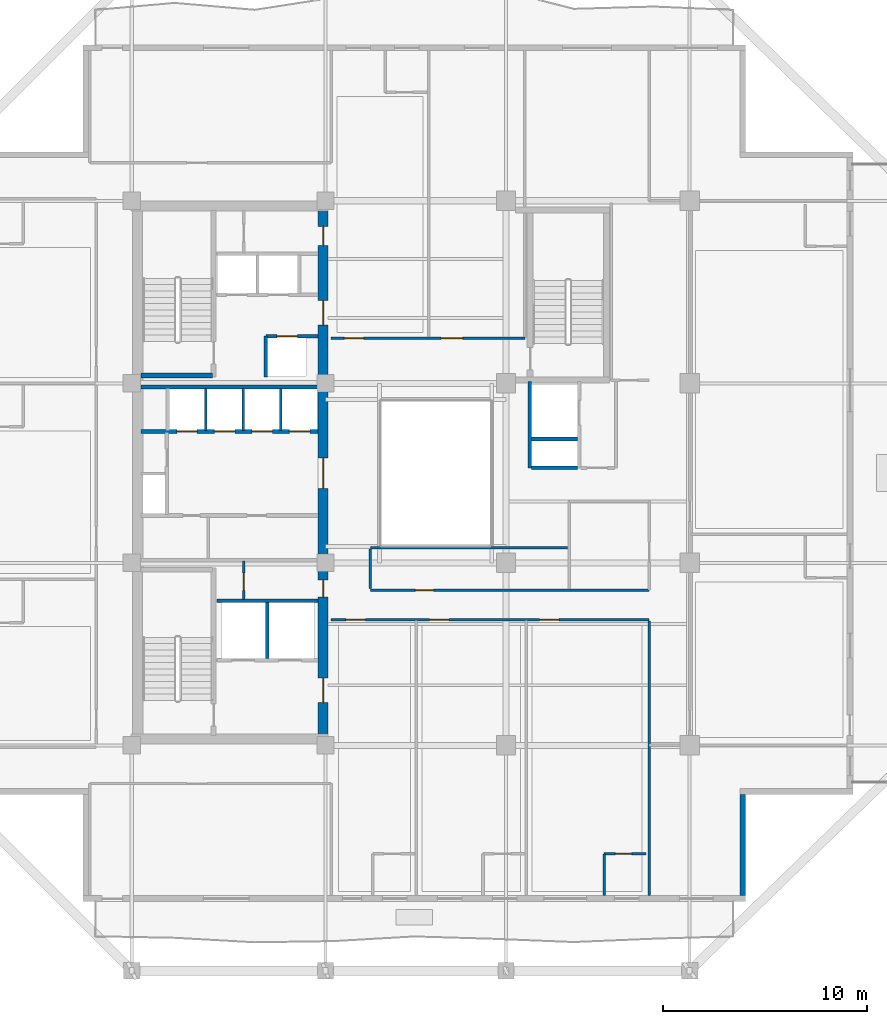
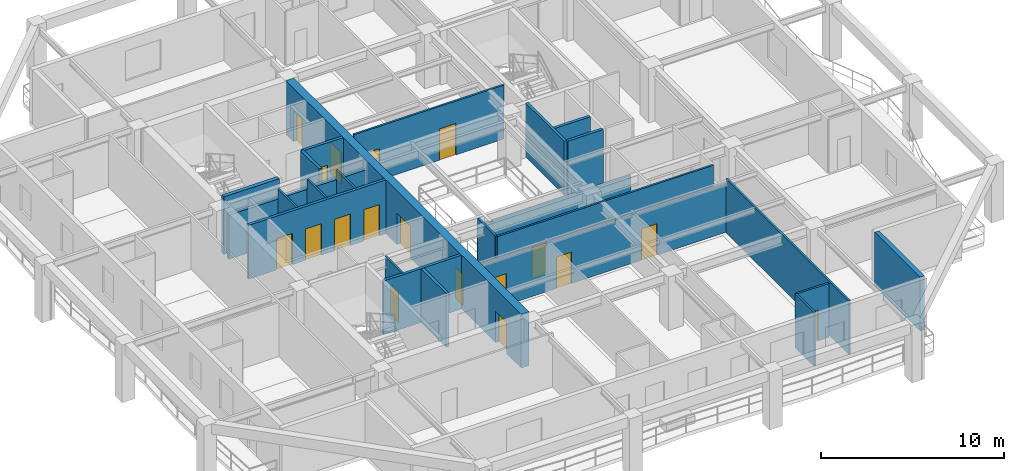
# One storey, part 4 of 13: 24 walls, 18 doors, 18 openings.
"""IFC4 building model written with IfcOpenShell, lengths in metres."""

import ifcopenshell
import ifcopenshell.guid

model = None  # the IFC model being written
_history = None  # IfcOwnerHistory: only IFC2X3 demands one
_inside = {}  # id of a spatial element -> (the spatial element, [elements in it])
_under = {}  # id of a project, library or spatial element -> (it, [spatial elements below it])
_declared = {}  # id of a project -> (the project, [libraries it declares])
_typed = {}  # id of a type object -> (the type object, [elements of that type])
_made_of = {}  # id of a material, layer set ... -> (it, [elements and type objects made of it])


def new_model(schema):
    """Start an empty IFC model of exactly this schema.

    Asked for "IFC4X3", IfcOpenShell would pick the latest addendum, in which some entities
    have other attributes; the version numbers below select the first issue.
    IFC2X3 requires an IfcOwnerHistory on every rooted entity: one is made here for all.
    """
    global model, _history
    if schema == "IFC4X3":
        model = ifcopenshell.file(schema_version=(4, 3, 0, 0))
    else:
        model = ifcopenshell.file(schema=schema)
    _inside.clear()
    _under.clear()
    _declared.clear()
    _typed.clear()
    _made_of.clear()
    _history = None
    if model.schema == "IFC2X3":
        org = make("IfcOrganization", Name="unknown")
        user = make(
            "IfcPersonAndOrganization",
            ThePerson=make("IfcPerson", FamilyName="unknown"),
            TheOrganization=org,
        )
        app = make(
            "IfcApplication",
            ApplicationDeveloper=org,
            Version="unknown",
            ApplicationFullName="unknown",
            ApplicationIdentifier="unknown",
        )
        _history = make(
            "IfcOwnerHistory",
            OwningUser=user,
            OwningApplication=app,
            ChangeAction="ADDED",
            CreationDate=0,
        )
    return model


def make(cls, **values):
    """One entity of the class cls with the attributes given. An attribute that is None is left unset."""
    return model.create_entity(
        cls, **{name: value for name, value in values.items() if value is not None}
    )


def rooted(cls, **values):
    """An entity with a GlobalId (a new one), such as an element, a storey or a relation."""
    return make(cls, GlobalId=ifcopenshell.guid.new(), OwnerHistory=_history, **values)


def si_unit(unit_type, name, prefix=None):
    """IfcSIUnit, for example si_unit("LENGTHUNIT", "METRE", prefix="MILLI")."""
    return make("IfcSIUnit", UnitType=unit_type, Prefix=prefix, Name=name)


def assignment(units):
    """IfcUnitAssignment: the units of a project."""
    return None if units is None else make("IfcUnitAssignment", Units=units)


def point(xyz):
    """IfcCartesianPoint."""
    return None if xyz is None else make("IfcCartesianPoint", Coordinates=xyz)


def direction(xyz):
    """IfcDirection."""
    return None if xyz is None else make("IfcDirection", DirectionRatios=xyz)


def frame(location, z_axis=None, x_axis=None):
    """IfcAxis2Placement3D, a coordinate frame: its origin and axes. An axis left out is left unset."""
    return make(
        "IfcAxis2Placement3D",
        Location=point(location),
        Axis=direction(z_axis),
        RefDirection=direction(x_axis),
    )


def frame_2d(location, x_axis=None):
    """IfcAxis2Placement2D, a coordinate frame in the plane: its origin and x axis."""
    return make(
        "IfcAxis2Placement2D", Location=point(location), RefDirection=direction(x_axis)
    )


def origin():
    """The frame at (0, 0, 0) with its axes left unset."""
    return frame((0.0, 0.0, 0.0))


def place(relative_to, where):
    """IfcLocalPlacement: puts the frame where relative to a parent placement (None: the world)."""
    return make(
        "IfcLocalPlacement", PlacementRelTo=relative_to, RelativePlacement=where
    )


def context(
    kind, dimensions, precision=None, world=None, true_north=None, identifier=None
):
    """IfcGeometricRepresentationContext, for example the 3D "Model" context."""
    return make(
        "IfcGeometricRepresentationContext",
        ContextIdentifier=identifier,
        ContextType=kind,
        CoordinateSpaceDimension=dimensions,
        Precision=precision,
        WorldCoordinateSystem=world,
        TrueNorth=true_north,
    )


def subcontext(parent, identifier, kind, view, scale=None):
    """IfcGeometricRepresentationSubContext, for example "Body" below "Model"."""
    return make(
        "IfcGeometricRepresentationSubContext",
        ContextIdentifier=identifier,
        ContextType=kind,
        ParentContext=parent,
        TargetScale=scale,
        TargetView=view,
    )


def project(units=None, contexts=None):
    """IfcProject with its units and contexts."""
    return rooted(
        "IfcProject",
        Name="project",
        RepresentationContexts=contexts,
        UnitsInContext=assignment(units),
    )


def spatial(cls, under=None, at=None, **own):
    """A site, building, storey or space (cls), placed at a placement, below another one or the project."""
    s = rooted(cls, ObjectPlacement=at, **own)
    if under is not None:
        _under.setdefault(under.id(), (under, []))[1].append(s)
    return s


def profile(cls, at=None, kind="AREA", **sizes):
    """A parametric profile (cls). Its sizes go by their IFC names, for example OverallWidth=200.0."""
    return make(cls, ProfileType=kind, Position=at, **sizes)


def rectangle(**sizes):
    """IfcRectangleProfileDef."""
    return profile("IfcRectangleProfileDef", **sizes)


def extrude(swept, where, along, depth):
    """IfcExtrudedAreaSolid: the profile swept, set in the frame where, extruded along a direction by depth."""
    return make(
        "IfcExtrudedAreaSolid",
        SweptArea=swept,
        Position=where,
        ExtrudedDirection=direction(along),
        Depth=depth,
    )


def shape(context_of_items, identifier, shape_type, items):
    """IfcShapeRepresentation: the items that make up one representation, for example the "Body"."""
    return make(
        "IfcShapeRepresentation",
        ContextOfItems=context_of_items,
        RepresentationIdentifier=identifier,
        RepresentationType=shape_type,
        Items=items,
    )


def material(Name=None, Category=None):
    """IfcMaterial."""
    return make("IfcMaterial", Name=Name, Category=Category)


def layer(
    of_material, thickness, ventilated=None, Name=None, Category=None, Priority=None
):
    """IfcMaterialLayer: one layer of a wall or slab, of a material (None: an air gap)."""
    return make(
        "IfcMaterialLayer",
        Material=of_material,
        LayerThickness=thickness,
        IsVentilated=ventilated,
        Name=Name,
        Category=Category,
        Priority=Priority,
    )


def layer_set(layers, Name=None):
    """IfcMaterialLayerSet."""
    return make("IfcMaterialLayerSet", MaterialLayers=layers, LayerSetName=Name)


def made_of(thing, what):
    """Note that an element or type object is made of a material, layer set ...; save() writes the relation."""
    if what is not None:
        _made_of.setdefault(what.id(), (what, []))[1].append(thing)
    return thing


def type_object(cls, material=None, **own):
    """A type object (cls), such as IfcWallType, which elements share."""
    return made_of(rooted(cls, **own), material)


def element(
    cls,
    number,
    at=None,
    inside=None,
    cuts=None,
    type_object=None,
    material=None,
    context=None,
    identifier="Body",
    shape_type=None,
    held_by="IfcProductDefinitionShape",
    body=None,
    shapes=None,
    **own,
):
    """One element of the class cls, such as IfcWall. Its Tag is "e" and its number.

    at: its placement. inside: the storey or other place that contains it. cuts: it is an
    opening in that element (IfcRelVoidsElement). A single representation is given by context,
    identifier, shape_type and body (its items); several are given by shapes. held_by: the class
    of the entity that holds the representations. save() writes the other relations.
    """
    e = rooted(cls, Tag="e%d" % number, ObjectPlacement=at, **own)
    if body is not None:
        shapes = [shape(context, identifier, shape_type, body)]
    if shapes is not None:
        e.Representation = make(held_by, Representations=shapes)
    if inside is not None:
        _inside.setdefault(inside.id(), (inside, []))[1].append(e)
    if cuts is not None:
        rooted(
            "IfcRelVoidsElement", RelatingBuildingElement=cuts, RelatedOpeningElement=e
        )
    if type_object is not None:
        _typed.setdefault(type_object.id(), (type_object, []))[1].append(e)
    return made_of(e, material)


def fill(opening, filler):
    """IfcRelFillsElement: the door or window that sits in an opening."""
    return rooted(
        "IfcRelFillsElement",
        RelatingOpeningElement=opening,
        RelatedBuildingElement=filler,
    )


def aggregate(whole, parts):
    """IfcRelAggregates: a whole, such as a stair, and the parts it consists of."""
    return rooted("IfcRelAggregates", RelatingObject=whole, RelatedObjects=parts)


def save(model, path):
    """Write the relations noted so far, then the file.

    IfcRelAggregates (storeys below a building ...), IfcRelContainedInSpatialStructure (elements
    in a storey), IfcRelDefinesByType, IfcRelAssociatesMaterial and IfcRelDeclares: one each for
    every whole, place, type object, material and project.
    """
    for whole, parts in _under.values():
        aggregate(whole, parts)
    for where, things in _inside.values():
        rooted(
            "IfcRelContainedInSpatialStructure",
            RelatedElements=things,
            RelatingStructure=where,
        )
    for kind, things in _typed.values():
        rooted("IfcRelDefinesByType", RelatedObjects=things, RelatingType=kind)
    for what, things in _made_of.values():
        rooted("IfcRelAssociatesMaterial", RelatedObjects=things, RelatingMaterial=what)
    for by, libraries in _declared.values():
        rooted("IfcRelDeclares", RelatingContext=by, RelatedDefinitions=libraries)
    model.write(path)


model = new_model("IFC4")

# Units and contexts
model_context = context("Model", 3, precision=1e-05, world=origin(), true_north=direction((0.0, 1.0)))
body_context = subcontext(model_context, "Body", "Model", "MODEL_VIEW")
ifc_project = project(units=[si_unit("LENGTHUNIT", "METRE"), si_unit("AREAUNIT", "SQUARE_METRE"), si_unit("VOLUMEUNIT", "CUBIC_METRE"), si_unit("PLANEANGLEUNIT", "RADIAN"), si_unit("MASSUNIT", "GRAM", prefix="KILO")], contexts=[model_context])

# Site, building, storey
site_placement = place(None, origin())
site = spatial("IfcSite", under=ifc_project, at=site_placement, CompositionType="ELEMENT")
building_placement = place(site_placement, origin())
building = spatial("IfcBuilding", under=site, at=building_placement, Name="Kundavana Baori Tower", CompositionType="ELEMENT")
storey_placement = place(building_placement, frame((0.0, 0.0, 181.0)))
storey = spatial("IfcBuildingStorey", under=building, at=storey_placement, Name="L44", CompositionType="ELEMENT", Elevation=181.0)

# Wall
ifc_material_1 = material(Name="Concrete C50/60", Category="concrete")
ifc_layer_1 = layer(ifc_material_1, 0.39990234375, Name="WL-CORE-400")
ifc_layer_set_1 = layer_set([ifc_layer_1], Name="Concrete C50/60")
wall_type_1 = type_object("IfcWallType", Name="WL-CORE-400", PredefinedType="SHEAR", material=ifc_layer_set_1)
wall_1_placement = place(storey_placement, frame((15.89990234375, 33.389892578125, 0.0), z_axis=(0.0, 0.0, 1.0), x_axis=(1.0, 0.0, 0.0)))
element("IfcWall", 1, at=wall_1_placement, inside=storey, type_object=wall_type_1, Name="WL-L44-ST2-S", PredefinedType="SHEAR", context=body_context, shape_type="SweptSolid", body=[
    extrude(rectangle(XDim=3.52001953125, YDim=0.239990234375, at=frame_2d((1.760009765625, 0.0))), origin(), (0.0, 0.0, 1.0), 3.85009765625),
])

# Wall, openings, doors
ifc_material_2 = material(Name="Concrete C50/60", Category="concrete")
ifc_layer_2 = layer(ifc_material_2, 0.5, Name="WL-CORE-500")
ifc_layer_set_2 = layer_set([ifc_layer_2], Name="Concrete C50/60")
wall_type_2 = type_object("IfcWallType", Name="WL-CORE-500", PredefinedType="SHEAR", material=ifc_layer_set_2)
wall_2_placement = place(storey_placement, frame((24.830078125, 15.739990234375, 0.0), z_axis=(0.0, 0.0, 1.0), x_axis=(0.0, 1.0, 0.0)))
wall_2 = element("IfcWall", 2, at=wall_2_placement, inside=storey, type_object=wall_type_2, Name="L44 Offset Core East Shear Wall", PredefinedType="SHEAR", context=body_context, shape_type="SweptSolid", body=[
    extrude(rectangle(XDim=25.760009765625, YDim=0.5, at=frame_2d((12.8798828125, 0.0))), origin(), (0.0, 0.0, 1.0), 3.60009765625),
])
opening_1_placement = place(wall_2_placement, frame((1.610107421875, 0.0, 0.0)))
opening_1 = element("IfcOpeningElement", 3, at=opening_1_placement, cuts=wall_2, Name="Opening FD-120", PredefinedType="OPENING", context=body_context, shape_type="SweptSolid", body=[
    extrude(rectangle(XDim=1.199951171875, YDim=2.10009765625, at=frame_2d((0.60009765625, 1.050048828125))), frame((0.0, 0.260009765625, 0.0), z_axis=(0.0, -1.0, 0.0), x_axis=(1.0, 0.0, 0.0)), (0.0, 0.0, 1.0), 0.52001953125),
])
opening_2_placement = place(wall_2_placement, frame((6.780029296875, 0.0, 0.0)))
opening_2 = element("IfcOpeningElement", 4, at=opening_2_placement, cuts=wall_2, Name="Opening FD-085", PredefinedType="OPENING", context=body_context, shape_type="SweptSolid", body=[
    extrude(rectangle(XDim=0.85009765625, YDim=2.06005859375, at=frame_2d((0.425048828125, 1.030029296875))), frame((0.0, 0.260009765625, 0.0), z_axis=(0.0, -1.0, 0.0), x_axis=(1.0, 0.0, 0.0)), (0.0, 0.0, 1.0), 0.52001953125),
])
opening_3_placement = place(wall_2_placement, frame((12.110107421875, 0.0, 0.0)))
opening_3 = element("IfcOpeningElement", 5, at=opening_3_placement, cuts=wall_2, Name="Opening FD-150", PredefinedType="OPENING", context=body_context, shape_type="SweptSolid", body=[
    extrude(rectangle(XDim=1.5, YDim=2.1201171875, at=frame_2d((0.75, 1.06005859375))), frame((0.0, 0.260009765625, 0.0), z_axis=(0.0, -1.0, 0.0), x_axis=(1.0, 0.0, 0.0)), (0.0, 0.0, 1.0), 0.52001953125),
])
opening_4_placement = place(wall_2_placement, frame((20.110107421875, 0.0, 0.0)))
opening_4 = element("IfcOpeningElement", 6, at=opening_4_placement, cuts=wall_2, Name="Opening FD-122", PredefinedType="OPENING", context=body_context, shape_type="SweptSolid", body=[
    extrude(rectangle(XDim=1.199951171875, YDim=2.1201171875, at=frame_2d((0.60009765625, 1.06005859375))), frame((0.0, 0.260009765625, 0.0), z_axis=(0.0, -1.0, 0.0), x_axis=(1.0, 0.0, 0.0)), (0.0, 0.0, 1.0), 0.52001953125),
])
opening_5_placement = place(wall_2_placement, frame((24.010009765625, 0.0, 0.0)))
opening_5 = element("IfcOpeningElement", 7, at=opening_5_placement, cuts=wall_2, Name="Opening FD-095", PredefinedType="OPENING", context=body_context, shape_type="SweptSolid", body=[
    extrude(rectangle(XDim=0.949951171875, YDim=2.10009765625, at=frame_2d((0.47509765625, 1.050048828125))), frame((0.0, 0.260009765625, 0.0), z_axis=(0.0, -1.0, 0.0), x_axis=(1.0, 0.0, 0.0)), (0.0, 0.0, 1.0), 0.52001953125),
])
ifc_material_3 = material(Name="Galvanised Steel Fire-Rated Door Leaf", Category="steel")
door_type_1 = type_object("IfcDoorType", Name="DR-FD120-1200", OperationType="NOTDEFINED", PredefinedType="DOOR", material=ifc_material_3)
door_1_placement = place(opening_1_placement, frame((1.199951171875, 0.0, 0.0), z_axis=(0.0, 0.0, 1.0), x_axis=(-1.0, 0.0, 0.0)))
door_1 = element("IfcDoor", 8, at=door_1_placement, inside=storey, type_object=door_type_1, Name="DR-L44-FFLOB-E", OperationType="SINGLE_SWING_RIGHT", OverallHeight=2.10009765625, OverallWidth=1.199951171875, PredefinedType="DOOR", context=body_context, shape_type="SweptSolid", body=[
    extrude(rectangle(XDim=1.199951171875, YDim=2.10009765625, at=frame_2d((0.60009765625, 1.050048828125))), frame((0.0, 0.02490234375, 0.0), z_axis=(0.0, -1.0, 0.0), x_axis=(1.0, 0.0, 0.0)), (0.0, 0.0, 1.0), 0.050048828125),
])
fill(opening_1, door_1)
ifc_material_4 = material(Name="Galvanised Steel Fire-Rated Door Leaf", Category="steel")
door_type_2 = type_object("IfcDoorType", Name="DR-FD60-1200", OperationType="NOTDEFINED", PredefinedType="DOOR", material=ifc_material_4)
door_2_placement = place(opening_4_placement, frame((1.199951171875, 0.0, 0.0), z_axis=(0.0, 0.0, 1.0), x_axis=(-1.0, 0.0, 0.0)))
door_2 = element("IfcDoor", 9, at=door_2_placement, inside=storey, type_object=door_type_2, Name="DR-L44-HRLOB-E", OperationType="SINGLE_SWING_RIGHT", OverallHeight=2.1201171875, OverallWidth=1.199951171875, PredefinedType="DOOR", context=body_context, shape_type="SweptSolid", body=[
    extrude(rectangle(XDim=1.199951171875, YDim=2.1201171875, at=frame_2d((0.60009765625, 1.06005859375))), frame((0.0, 0.02490234375, 0.0), z_axis=(0.0, -1.0, 0.0), x_axis=(1.0, 0.0, 0.0)), (0.0, 0.0, 1.0), 0.050048828125),
])
fill(opening_4, door_2)
ifc_material_5 = material(Name="Galvanised Steel Fire-Rated Door Leaf", Category="steel")
door_type_3 = type_object("IfcDoorType", Name="DR-FD60-1500", OperationType="NOTDEFINED", PredefinedType="DOOR", material=ifc_material_5)
door_3_placement = place(opening_3_placement, frame((1.5, 0.0, 0.0), z_axis=(0.0, 0.0, 1.0), x_axis=(-1.0, 0.0, 0.0)))
door_3 = element("IfcDoor", 10, at=door_3_placement, inside=storey, type_object=door_type_3, Name="DR-L44-LIFTHALL-E", OperationType="SINGLE_SWING_LEFT", OverallHeight=2.1201171875, OverallWidth=1.5, PredefinedType="DOOR", context=body_context, shape_type="SweptSolid", body=[
    extrude(rectangle(XDim=1.5, YDim=2.1201171875, at=frame_2d((0.75, 1.06005859375))), frame((0.0, 0.02490234375, 0.0), z_axis=(0.0, -1.0, 0.0), x_axis=(1.0, 0.0, 0.0)), (0.0, 0.0, 1.0), 0.050048828125),
])
fill(opening_3, door_3)
ifc_material_6 = material(Name="Galvanised Steel Fire-Rated Door Leaf", Category="steel")
door_type_4 = type_object("IfcDoorType", Name="DR-FD60-850", OperationType="NOTDEFINED", PredefinedType="DOOR", material=ifc_material_6)
door_4_placement = place(opening_2_placement, frame((0.85009765625, 0.0, 0.0), z_axis=(0.0, 0.0, 1.0), x_axis=(-1.0, 0.0, 0.0)))
door_4 = element("IfcDoor", 11, at=door_4_placement, inside=storey, type_object=door_type_4, Name="DR-L44-CSMK2", OperationType="SINGLE_SWING_LEFT", OverallHeight=2.06005859375, OverallWidth=0.85009765625, PredefinedType="DOOR", context=body_context, shape_type="SweptSolid", body=[
    extrude(rectangle(XDim=0.85009765625, YDim=2.06005859375, at=frame_2d((0.425048828125, 1.030029296875))), frame((0.0, 0.02490234375, 0.0), z_axis=(0.0, -1.0, 0.0), x_axis=(1.0, 0.0, 0.0)), (0.0, 0.0, 1.0), 0.050048828125),
])
fill(opening_2, door_4)
ifc_material_7 = material(Name="Engineered Teak Fire-Rated Timber Door Leaf", Category="wood")
door_type_5 = type_object("IfcDoorType", Name="DR-FD60-950", OperationType="NOTDEFINED", PredefinedType="DOOR", material=ifc_material_7)
door_5_placement = place(opening_5_placement, frame((0.949951171875, 0.0, 0.0), z_axis=(0.0, 0.0, 1.0), x_axis=(-1.0, 0.0, 0.0)))
door_5 = element("IfcDoor", 12, at=door_5_placement, inside=storey, type_object=door_type_5, Name="DR-L44-CSRV2", OperationType="SINGLE_SWING_LEFT", OverallHeight=2.10009765625, OverallWidth=0.949951171875, PredefinedType="DOOR", context=body_context, shape_type="SweptSolid", body=[
    extrude(rectangle(XDim=0.949951171875, YDim=2.10009765625, at=frame_2d((0.47509765625, 1.050048828125))), frame((0.0, 0.02490234375, 0.0), z_axis=(0.0, -1.0, 0.0), x_axis=(1.0, 0.0, 0.0)), (0.0, 0.0, 1.0), 0.050048828125),
])
fill(opening_5, door_5)

# Wall
ifc_material_8 = material(Name="Red-Buff Dholpur Sandstone Cladding on Concrete C40/50", Category="masonry")
ifc_layer_3 = layer(ifc_material_8, 0.280029296875, Name="WL-EXT-SAND-280")
ifc_layer_set_3 = layer_set([ifc_layer_3], Name="Red-Buff Dholpur Sandstone Cladding on Concrete C40/50")
wall_type_3 = type_object("IfcWallType", Name="WL-EXT-SAND-280", PredefinedType="STANDARD", material=ifc_layer_set_3)
wall_3_placement = place(storey_placement, frame((45.409912109375, 7.8798828125, 0.0), z_axis=(0.0, 0.0, 1.0), x_axis=(0.0, 1.0, 0.0)))
element("IfcWall", 13, at=wall_3_placement, inside=storey, type_object=wall_type_3, Name="L44 Exterior Insulated Facade Wall 02", PredefinedType="STANDARD", context=body_context, shape_type="SweptSolid", body=[
    extrude(rectangle(XDim=4.97021484375, YDim=0.280029296875, at=frame_2d((2.485107421875, 0.0))), origin(), (0.0, 0.0, 1.0), 3.60009765625),
])

# Wall, opening, door
ifc_material_9 = material(Name="Acoustic Gypsum Plasterboard on Galvanised Steel Studs", Category="steel")
ifc_layer_4 = layer(ifc_material_9, 0.1201171875, Name="WL-PART-120")
ifc_layer_set_4 = layer_set([ifc_layer_4], Name="Acoustic Gypsum Plasterboard on Galvanised Steel Studs")
wall_type_4 = type_object("IfcWallType", Name="WL-PART-120", PredefinedType="PARTITIONING", material=ifc_layer_set_4)
wall_4_placement = place(storey_placement, frame((20.949951171875, 22.39990234375, 0.0), z_axis=(0.0, 0.0, 1.0), x_axis=(0.0, 1.0, 0.0)))
wall_4 = element("IfcWall", 14, at=wall_4_placement, inside=storey, type_object=wall_type_4, Name="WL-L44-CSMK-D2", PredefinedType="PARTITIONING", context=body_context, shape_type="SweptSolid", body=[
    extrude(rectangle(XDim=1.880126953125, YDim=0.1201171875, at=frame_2d((0.93994140625, 0.0))), origin(), (0.0, 0.0, 1.0), 3.60009765625),
])
opening_6_placement = place(wall_4_placement, frame((0.449951171875, 0.0, 0.0)))
opening_6 = element("IfcOpeningElement", 15, at=opening_6_placement, cuts=wall_4, Name="Opening FD-085", PredefinedType="OPENING", context=body_context, shape_type="SweptSolid", body=[
    extrude(rectangle(XDim=0.85009765625, YDim=2.06005859375, at=frame_2d((0.425048828125, 1.030029296875))), frame((0.0, 0.070068359375, 0.0), z_axis=(0.0, -1.0, 0.0), x_axis=(1.0, 0.0, 0.0)), (0.0, 0.0, 1.0), 0.14013671875),
])
door_6_placement = place(opening_6_placement, origin())
door_6 = element("IfcDoor", 16, at=door_6_placement, inside=storey, type_object=door_type_4, Name="DR-L44-CSMK1", OperationType="SINGLE_SWING_RIGHT", OverallHeight=2.06005859375, OverallWidth=0.85009765625, PredefinedType="DOOR", context=body_context, shape_type="SweptSolid", body=[
    extrude(rectangle(XDim=0.85009765625, YDim=2.06005859375, at=frame_2d((0.425048828125, 1.030029296875))), frame((0.0, 0.02490234375, 0.0), z_axis=(0.0, -1.0, 0.0), x_axis=(1.0, 0.0, 0.0)), (0.0, 0.0, 1.0), 0.050048828125),
])
fill(opening_6, door_6)

# Walls
for number, where, z_axis, x_axis, name in (
    (17, (19.080078125, 30.699951171875, 0.0), (0.0, 0.0, 1.0), (0.0, 1.0, 0.0), "WL-L44-LPMID-D1"),
    (18, (20.919921875, 30.699951171875, 0.0), (0.0, 0.0, 1.0), (0.0, 1.0, 0.0), "WL-L44-LPMID-D2"),
    (19, (22.760009765625, 30.699951171875, 0.0), (0.0, 0.0, 1.0), (0.0, 1.0, 0.0), "WL-L44-LPMID-D3"),
):
    element("IfcWall", number, at=place(storey_placement, frame(where, z_axis=z_axis, x_axis=x_axis)), inside=storey, type_object=wall_type_4, Name=name, PredefinedType="PARTITIONING", context=body_context, shape_type="SweptSolid", body=[
        extrude(rectangle(XDim=2.050048828125, YDim=0.1201171875, at=frame_2d((1.02490234375, 0.0))), origin(), (0.0, 0.0, 1.0), 3.60009765625),
    ])

# Wall, openings, doors
wall_5_placement = place(storey_placement, frame((25.219970703125, 21.419921875, 0.0), z_axis=(0.0, 0.0, 1.0), x_axis=(1.0, 0.0, 0.0)))
wall_5 = element("IfcWall", 20, at=wall_5_placement, inside=storey, type_object=wall_type_4, Name="WL-L44-HS", PredefinedType="PARTITIONING", context=body_context, shape_type="SweptSolid", body=[
    extrude(rectangle(XDim=15.60009765625, YDim=0.1201171875, at=frame_2d((7.800048828125, 0.0))), origin(), (0.0, 0.0, 1.0), 3.25),
])
opening_7_placement = place(wall_5_placement, frame((0.72998046875, 0.0, 0.0)))
opening_7 = element("IfcOpeningElement", 21, at=opening_7_placement, cuts=wall_5, Name="Opening FD-095", PredefinedType="OPENING", context=body_context, shape_type="SweptSolid", body=[
    extrude(rectangle(XDim=0.949951171875, YDim=2.10009765625, at=frame_2d((0.47509765625, 1.050048828125))), frame((0.0, 0.070068359375, 0.0), z_axis=(0.0, -1.0, 0.0), x_axis=(1.0, 0.0, 0.0)), (0.0, 0.0, 1.0), 0.14013671875),
])
opening_8_placement = place(wall_5_placement, frame((4.830078125, 0.0, 0.0)))
opening_8 = element("IfcOpeningElement", 22, at=opening_8_placement, cuts=wall_5, Name="Opening FD-095", PredefinedType="OPENING", context=body_context, shape_type="SweptSolid", body=[
    extrude(rectangle(XDim=0.949951171875, YDim=2.10009765625, at=frame_2d((0.47509765625, 1.050048828125))), frame((0.0, 0.070068359375, 0.0), z_axis=(0.0, -1.0, 0.0), x_axis=(1.0, 0.0, 0.0)), (0.0, 0.0, 1.0), 0.14013671875),
])
opening_9_placement = place(wall_5_placement, frame((10.22998046875, 0.0, 0.0)))
opening_9 = element("IfcOpeningElement", 23, at=opening_9_placement, cuts=wall_5, Name="Opening FD-095", PredefinedType="OPENING", context=body_context, shape_type="SweptSolid", body=[
    extrude(rectangle(XDim=0.949951171875, YDim=2.10009765625, at=frame_2d((0.47509765625, 1.050048828125))), frame((0.0, 0.070068359375, 0.0), z_axis=(0.0, -1.0, 0.0), x_axis=(1.0, 0.0, 0.0)), (0.0, 0.0, 1.0), 0.14013671875),
])
door_7_placement = place(opening_7_placement, frame((0.949951171875, 0.0, 0.0), z_axis=(0.0, 0.0, 1.0), x_axis=(-1.0, 0.0, 0.0)))
door_7 = element("IfcDoor", 24, at=door_7_placement, inside=storey, type_object=door_type_5, Name="DR-L44-HK-S1-ENT", OperationType="SINGLE_SWING_RIGHT", OverallHeight=2.10009765625, OverallWidth=0.949951171875, PredefinedType="DOOR", context=body_context, shape_type="SweptSolid", body=[
    extrude(rectangle(XDim=0.949951171875, YDim=2.10009765625, at=frame_2d((0.47509765625, 1.050048828125))), frame((0.0, 0.02490234375, 0.0), z_axis=(0.0, -1.0, 0.0), x_axis=(1.0, 0.0, 0.0)), (0.0, 0.0, 1.0), 0.050048828125),
])
fill(opening_7, door_7)
door_8_placement = place(opening_8_placement, frame((0.949951171875, 0.0, 0.0), z_axis=(0.0, 0.0, 1.0), x_axis=(-1.0, 0.0, 0.0)))
door_8 = element("IfcDoor", 25, at=door_8_placement, inside=storey, type_object=door_type_5, Name="DR-L44-HK-S2-ENT", OperationType="SINGLE_SWING_RIGHT", OverallHeight=2.10009765625, OverallWidth=0.949951171875, PredefinedType="DOOR", context=body_context, shape_type="SweptSolid", body=[
    extrude(rectangle(XDim=0.949951171875, YDim=2.10009765625, at=frame_2d((0.47509765625, 1.050048828125))), frame((0.0, 0.02490234375, 0.0), z_axis=(0.0, -1.0, 0.0), x_axis=(1.0, 0.0, 0.0)), (0.0, 0.0, 1.0), 0.050048828125),
])
fill(opening_8, door_8)
door_9_placement = place(opening_9_placement, frame((0.949951171875, 0.0, 0.0), z_axis=(0.0, 0.0, 1.0), x_axis=(-1.0, 0.0, 0.0)))
door_9 = element("IfcDoor", 26, at=door_9_placement, inside=storey, type_object=door_type_5, Name="DR-L44-HK-S3-ENT", OperationType="SINGLE_SWING_RIGHT", OverallHeight=2.10009765625, OverallWidth=0.949951171875, PredefinedType="DOOR", context=body_context, shape_type="SweptSolid", body=[
    extrude(rectangle(XDim=0.949951171875, YDim=2.10009765625, at=frame_2d((0.47509765625, 1.050048828125))), frame((0.0, 0.02490234375, 0.0), z_axis=(0.0, -1.0, 0.0), x_axis=(1.0, 0.0, 0.0)), (0.0, 0.0, 1.0), 0.050048828125),
])
fill(opening_9, door_9)

# Wall, opening, door
wall_6_placement = place(storey_placement, frame((27.14990234375, 22.860107421875, 0.0), z_axis=(0.0, 0.0, 1.0), x_axis=(1.0, 0.0, 0.0)))
wall_6 = element("IfcWall", 27, at=wall_6_placement, inside=storey, type_object=wall_type_4, Name="WL-L44-HST", PredefinedType="PARTITIONING", context=body_context, shape_type="SweptSolid", body=[
    extrude(rectangle(XDim=13.670166015625, YDim=0.1201171875, at=frame_2d((6.8349609375, 0.0))), origin(), (0.0, 0.0, 1.0), 3.60009765625),
])
opening_10_placement = place(wall_6_placement, frame((2.199951171875, 0.0, 0.0)))
opening_10 = element("IfcOpeningElement", 28, at=opening_10_placement, cuts=wall_6, Name="Opening ID-090", PredefinedType="OPENING", context=body_context, shape_type="SweptSolid", body=[
    extrude(rectangle(XDim=0.89990234375, YDim=2.080078125, at=frame_2d((0.449951171875, 1.0400390625))), frame((0.0, 0.070068359375, 0.0), z_axis=(0.0, -1.0, 0.0), x_axis=(1.0, 0.0, 0.0)), (0.0, 0.0, 1.0), 0.14013671875),
])
ifc_material_10 = material(Name="Engineered Teak Solid-Core Timber Veneer", Category="wood")
door_type_6 = type_object("IfcDoorType", Name="DR-INT-900", OperationType="NOTDEFINED", PredefinedType="DOOR", material=ifc_material_10)
door_10_placement = place(opening_10_placement, origin())
door_10 = element("IfcDoor", 29, at=door_10_placement, inside=storey, type_object=door_type_6, Name="DR-L44-HPNT", OperationType="SINGLE_SWING_LEFT", OverallHeight=2.080078125, OverallWidth=0.89990234375, PredefinedType="DOOR", context=body_context, shape_type="SweptSolid", body=[
    extrude(rectangle(XDim=0.89990234375, YDim=2.080078125, at=frame_2d((0.449951171875, 1.0400390625))), frame((0.0, 0.02490234375, 0.0), z_axis=(0.0, -1.0, 0.0), x_axis=(1.0, 0.0, 0.0)), (0.0, 0.0, 1.0), 0.050048828125),
])
fill(opening_10, door_10)

# Wall, openings, doors
wall_7_placement = place(storey_placement, frame((25.219970703125, 35.219970703125, 0.0), z_axis=(0.0, 0.0, 1.0), x_axis=(1.0, 0.0, 0.0)))
wall_7 = element("IfcWall", 30, at=wall_7_placement, inside=storey, type_object=wall_type_4, Name="WL-L44-HN", PredefinedType="PARTITIONING", context=body_context, shape_type="SweptSolid", body=[
    extrude(rectangle(XDim=9.5, YDim=0.1201171875, at=frame_2d((4.75, 0.0))), origin(), (0.0, 0.0, 1.0), 3.60009765625),
])
opening_11_placement = place(wall_7_placement, frame((0.64990234375, 0.0, 0.0)))
opening_11 = element("IfcOpeningElement", 31, at=opening_11_placement, cuts=wall_7, Name="Opening FD-095", PredefinedType="OPENING", context=body_context, shape_type="SweptSolid", body=[
    extrude(rectangle(XDim=0.949951171875, YDim=2.10009765625, at=frame_2d((0.47509765625, 1.050048828125))), frame((0.0, 0.070068359375, 0.0), z_axis=(0.0, -1.0, 0.0), x_axis=(1.0, 0.0, 0.0)), (0.0, 0.0, 1.0), 0.14013671875),
])
opening_12_placement = place(wall_7_placement, frame((5.39990234375, 0.0, 0.0)))
opening_12 = element("IfcOpeningElement", 32, at=opening_12_placement, cuts=wall_7, Name="Opening ID-105", PredefinedType="OPENING", context=body_context, shape_type="SweptSolid", body=[
    extrude(rectangle(XDim=1.050048828125, YDim=2.10009765625, at=frame_2d((0.52490234375, 1.050048828125))), frame((0.0, 0.070068359375, 0.0), z_axis=(0.0, -1.0, 0.0), x_axis=(1.0, 0.0, 0.0)), (0.0, 0.0, 1.0), 0.14013671875),
])
door_11_placement = place(opening_11_placement, origin())
door_11 = element("IfcDoor", 33, at=door_11_placement, inside=storey, type_object=door_type_5, Name="DR-L44-HK-N1-ENT", OperationType="SINGLE_SWING_LEFT", OverallHeight=2.10009765625, OverallWidth=0.949951171875, PredefinedType="DOOR", context=body_context, shape_type="SweptSolid", body=[
    extrude(rectangle(XDim=0.949951171875, YDim=2.10009765625, at=frame_2d((0.47509765625, 1.050048828125))), frame((0.0, 0.02490234375, 0.0), z_axis=(0.0, -1.0, 0.0), x_axis=(1.0, 0.0, 0.0)), (0.0, 0.0, 1.0), 0.050048828125),
])
fill(opening_11, door_11)
ifc_material_11 = material(Name="Engineered Teak Solid-Core Timber Veneer", Category="wood")
door_type_7 = type_object("IfcDoorType", Name="DR-INT-1050", OperationType="NOTDEFINED", PredefinedType="DOOR", material=ifc_material_11)
door_12_placement = place(opening_12_placement, origin())
door_12 = element("IfcDoor", 34, at=door_12_placement, inside=storey, type_object=door_type_7, Name="DR-L44-HLNG", OperationType="SINGLE_SWING_RIGHT", OverallHeight=2.10009765625, OverallWidth=1.050048828125, PredefinedType="DOOR", context=body_context, shape_type="SweptSolid", body=[
    extrude(rectangle(XDim=1.050048828125, YDim=2.10009765625, at=frame_2d((0.52490234375, 1.050048828125))), frame((0.0, 0.02490234375, 0.0), z_axis=(0.0, -1.0, 0.0), x_axis=(1.0, 0.0, 0.0)), (0.0, 0.0, 1.0), 0.050048828125),
])
fill(opening_12, door_12)

# Walls
wall_8_placement = place(storey_placement, frame((27.14990234375, 24.949951171875, 0.0), z_axis=(0.0, 0.0, 1.0), x_axis=(1.0, 0.0, 0.0)))
element("IfcWall", 35, at=wall_8_placement, inside=storey, type_object=wall_type_4, Name="WL-L44-HPN1", PredefinedType="PARTITIONING", context=body_context, shape_type="SweptSolid", body=[
    extrude(rectangle(XDim=9.670166015625, YDim=0.1201171875, at=frame_2d((4.8349609375, 0.0))), origin(), (0.0, 0.0, 1.0), 3.050048828125),
])
wall_9_placement = place(storey_placement, frame((27.14990234375, 22.93994140625, 0.0), z_axis=(0.0, 0.0, 1.0), x_axis=(0.0, 1.0, 0.0)))
element("IfcWall", 36, at=wall_9_placement, inside=storey, type_object=wall_type_4, Name="WL-L44-HPN2", PredefinedType="PARTITIONING", context=body_context, shape_type="SweptSolid", body=[
    extrude(rectangle(XDim=1.93994140625, YDim=0.1201171875, at=frame_2d((0.969970703125, 0.0))), origin(), (0.0, 0.0, 1.0), 3.60009765625),
])
wall_10_placement = place(storey_placement, frame((40.820068359375, 7.8798828125, 0.0), z_axis=(0.0, 0.0, 1.0), x_axis=(0.0, 1.0, 0.0)))
element("IfcWall", 37, at=wall_10_placement, inside=storey, type_object=wall_type_4, Name="WL-L44-HSEND", PredefinedType="PARTITIONING", context=body_context, shape_type="SweptSolid", body=[
    extrude(rectangle(XDim=13.460205078125, YDim=0.1201171875, at=frame_2d((6.72998046875, 0.0))), origin(), (0.0, 0.0, 1.0), 3.60009765625),
])
ifc_material_12 = material(Name="Autoclaved Aerated Concrete Blockwork Masonry", Category="masonry")
ifc_layer_5 = layer(ifc_material_12, 0.179931640625, Name="WL-SHAFT-180")
ifc_layer_set_5 = layer_set([ifc_layer_5], Name="Autoclaved Aerated Concrete Blockwork Masonry")
wall_type_5 = type_object("IfcWallType", Name="WL-SHAFT-180", PredefinedType="SOLIDWALL", material=ifc_layer_set_5)
wall_11_placement = place(storey_placement, frame((22.10009765625, 19.510009765625, 0.0), z_axis=(0.0, 0.0, 1.0), x_axis=(0.0, 1.0, 0.0)))
element("IfcWall", 38, at=wall_11_placement, inside=storey, type_object=wall_type_5, Name="WL-L44-FFL-MID", PredefinedType="SOLIDWALL", context=body_context, shape_type="SweptSolid", body=[
    extrude(rectangle(XDim=2.739990234375, YDim=0.179931640625, at=frame_2d((1.3701171875, 0.0))), origin(), (0.0, 0.0, 1.0), 3.60009765625),
])
wall_12_placement = place(storey_placement, frame((19.639892578125, 22.340087890625, 0.0), z_axis=(0.0, 0.0, 1.0), x_axis=(1.0, 0.0, 0.0)))
element("IfcWall", 39, at=wall_12_placement, inside=storey, type_object=wall_type_5, Name="WL-L44-FFL-N", PredefinedType="SOLIDWALL", context=body_context, shape_type="SweptSolid", body=[
    extrude(rectangle(XDim=4.940185546875, YDim=0.179931640625, at=frame_2d((2.47021484375, 0.0))), origin(), (0.0, 0.0, 1.0), 3.60009765625),
])

# Wall, openings, doors
wall_13_placement = place(storey_placement, frame((15.89990234375, 30.639892578125, 0.0), z_axis=(0.0, 0.0, 1.0), x_axis=(1.0, 0.0, 0.0)))
wall_13 = element("IfcWall", 40, at=wall_13_placement, inside=storey, type_object=wall_type_5, Name="WL-L44-LPMID-S", PredefinedType="SOLIDWALL", context=body_context, shape_type="SweptSolid", body=[
    extrude(rectangle(XDim=8.68017578125, YDim=0.179931640625, at=frame_2d((4.340087890625, 0.0))), origin(), (0.0, 0.0, 1.0), 3.60009765625),
])
opening_13_placement = place(wall_13_placement, frame((1.760009765625, 0.0, 0.0)))
opening_13 = element("IfcOpeningElement", 41, at=opening_13_placement, cuts=wall_13, Name="Opening LD-100", PredefinedType="OPENING", context=body_context, shape_type="SweptSolid", body=[
    extrude(rectangle(XDim=1.0, YDim=2.10009765625, at=frame_2d((0.5, 1.050048828125))), frame((0.0, 0.10009765625, 0.0), z_axis=(0.0, -1.0, 0.0), x_axis=(1.0, 0.0, 0.0)), (0.0, 0.0, 1.0), 0.199951171875),
])
opening_14_placement = place(wall_13_placement, frame((3.60009765625, 0.0, 0.0)))
opening_14 = element("IfcOpeningElement", 42, at=opening_14_placement, cuts=wall_13, Name="Opening LD-100", PredefinedType="OPENING", context=body_context, shape_type="SweptSolid", body=[
    extrude(rectangle(XDim=1.0, YDim=2.10009765625, at=frame_2d((0.5, 1.050048828125))), frame((0.0, 0.10009765625, 0.0), z_axis=(0.0, -1.0, 0.0), x_axis=(1.0, 0.0, 0.0)), (0.0, 0.0, 1.0), 0.199951171875),
])
opening_15_placement = place(wall_13_placement, frame((5.43994140625, 0.0, 0.0)))
opening_15 = element("IfcOpeningElement", 43, at=opening_15_placement, cuts=wall_13, Name="Opening LD-100", PredefinedType="OPENING", context=body_context, shape_type="SweptSolid", body=[
    extrude(rectangle(XDim=1.0, YDim=2.10009765625, at=frame_2d((0.5, 1.050048828125))), frame((0.0, 0.10009765625, 0.0), z_axis=(0.0, -1.0, 0.0), x_axis=(1.0, 0.0, 0.0)), (0.0, 0.0, 1.0), 0.199951171875),
])
opening_16_placement = place(wall_13_placement, frame((7.280029296875, 0.0, 0.0)))
opening_16 = element("IfcOpeningElement", 44, at=opening_16_placement, cuts=wall_13, Name="Opening LD-100", PredefinedType="OPENING", context=body_context, shape_type="SweptSolid", body=[
    extrude(rectangle(XDim=1.0, YDim=2.10009765625, at=frame_2d((0.5, 1.050048828125))), frame((0.0, 0.10009765625, 0.0), z_axis=(0.0, -1.0, 0.0), x_axis=(1.0, 0.0, 0.0)), (0.0, 0.0, 1.0), 0.199951171875),
])
ifc_material_13 = material(Name="Galvanised Steel Fire-Rated Door Leaf", Category="steel")
door_type_8 = type_object("IfcDoorType", Name="DR-SLIDE-LD1000", OperationType="NOTDEFINED", PredefinedType="DOOR", material=ifc_material_13)
door_13_placement = place(opening_13_placement, frame((1.0, 0.0, 0.0), z_axis=(0.0, 0.0, 1.0), x_axis=(-1.0, 0.0, 0.0)))
door_13 = element("IfcDoor", 45, at=door_13_placement, inside=storey, type_object=door_type_8, Name="DR-L44-LD-LP-05", OperationType="DOUBLE_DOOR_SLIDING", OverallHeight=2.10009765625, OverallWidth=1.0, PredefinedType="DOOR", context=body_context, shape_type="SweptSolid", body=[
    extrude(rectangle(XDim=1.0, YDim=2.10009765625, at=frame_2d((0.5, 1.050048828125))), frame((0.0, 0.02490234375, 0.0), z_axis=(0.0, -1.0, 0.0), x_axis=(1.0, 0.0, 0.0)), (0.0, 0.0, 1.0), 0.050048828125),
])
fill(opening_13, door_13)
door_14_placement = place(opening_14_placement, frame((1.0, 0.0, 0.0), z_axis=(0.0, 0.0, 1.0), x_axis=(-1.0, 0.0, 0.0)))
door_14 = element("IfcDoor", 46, at=door_14_placement, inside=storey, type_object=door_type_8, Name="DR-L44-LD-LP-06", OperationType="DOUBLE_DOOR_SLIDING", OverallHeight=2.10009765625, OverallWidth=1.0, PredefinedType="DOOR", context=body_context, shape_type="SweptSolid", body=[
    extrude(rectangle(XDim=1.0, YDim=2.10009765625, at=frame_2d((0.5, 1.050048828125))), frame((0.0, 0.02490234375, 0.0), z_axis=(0.0, -1.0, 0.0), x_axis=(1.0, 0.0, 0.0)), (0.0, 0.0, 1.0), 0.050048828125),
])
fill(opening_14, door_14)
door_15_placement = place(opening_15_placement, frame((1.0, 0.0, 0.0), z_axis=(0.0, 0.0, 1.0), x_axis=(-1.0, 0.0, 0.0)))
door_15 = element("IfcDoor", 47, at=door_15_placement, inside=storey, type_object=door_type_8, Name="DR-L44-LD-LP-07", OperationType="DOUBLE_DOOR_SLIDING", OverallHeight=2.10009765625, OverallWidth=1.0, PredefinedType="DOOR", context=body_context, shape_type="SweptSolid", body=[
    extrude(rectangle(XDim=1.0, YDim=2.10009765625, at=frame_2d((0.5, 1.050048828125))), frame((0.0, 0.02490234375, 0.0), z_axis=(0.0, -1.0, 0.0), x_axis=(1.0, 0.0, 0.0)), (0.0, 0.0, 1.0), 0.050048828125),
])
fill(opening_15, door_15)
door_16_placement = place(opening_16_placement, frame((1.0, 0.0, 0.0), z_axis=(0.0, 0.0, 1.0), x_axis=(-1.0, 0.0, 0.0)))
door_16 = element("IfcDoor", 48, at=door_16_placement, inside=storey, type_object=door_type_8, Name="DR-L44-LD-LP-08", OperationType="DOUBLE_DOOR_SLIDING", OverallHeight=2.10009765625, OverallWidth=1.0, PredefinedType="DOOR", context=body_context, shape_type="SweptSolid", body=[
    extrude(rectangle(XDim=1.0, YDim=2.10009765625, at=frame_2d((0.5, 1.050048828125))), frame((0.0, 0.02490234375, 0.0), z_axis=(0.0, -1.0, 0.0), x_axis=(1.0, 0.0, 0.0)), (0.0, 0.0, 1.0), 0.050048828125),
])
fill(opening_16, door_16)

# Wall
wall_14_placement = place(storey_placement, frame((15.89990234375, 32.820068359375, 0.0), z_axis=(0.0, 0.0, 1.0), x_axis=(1.0, 0.0, 0.0)))
element("IfcWall", 49, at=wall_14_placement, inside=storey, type_object=wall_type_5, Name="WL-L44-LPMID-N", PredefinedType="SOLIDWALL", context=body_context, shape_type="SweptSolid", body=[
    extrude(rectangle(XDim=8.68017578125, YDim=0.179931640625, at=frame_2d((4.340087890625, 0.0))), origin(), (0.0, 0.0, 1.0), 2.949951171875),
])

# Wall, opening, door
wall_15_placement = place(storey_placement, frame((22.02001953125, 35.31005859375, 0.0), z_axis=(0.0, 0.0, 1.0), x_axis=(1.0, 0.0, 0.0)))
wall_15 = element("IfcWall", 50, at=wall_15_placement, inside=storey, type_object=wall_type_5, Name="WL-L44-LP11-N", PredefinedType="SOLIDWALL", context=body_context, shape_type="SweptSolid", body=[
    extrude(rectangle(XDim=2.56005859375, YDim=0.179931640625, at=frame_2d((1.280029296875, 0.0))), origin(), (0.0, 0.0, 1.0), 3.60009765625),
])
opening_17_placement = place(wall_15_placement, frame((0.550048828125, 0.0, 0.0)))
opening_17 = element("IfcOpeningElement", 51, at=opening_17_placement, cuts=wall_15, Name="Opening LD-100", PredefinedType="OPENING", context=body_context, shape_type="SweptSolid", body=[
    extrude(rectangle(XDim=1.0, YDim=2.10009765625, at=frame_2d((0.5, 1.050048828125))), frame((0.0, 0.10009765625, 0.0), z_axis=(0.0, -1.0, 0.0), x_axis=(1.0, 0.0, 0.0)), (0.0, 0.0, 1.0), 0.199951171875),
])
door_17_placement = place(opening_17_placement, origin())
door_17 = element("IfcDoor", 52, at=door_17_placement, inside=storey, type_object=door_type_8, Name="DR-L44-LD-LP11", OperationType="DOUBLE_DOOR_SLIDING", OverallHeight=2.10009765625, OverallWidth=1.0, PredefinedType="DOOR", context=body_context, shape_type="SweptSolid", body=[
    extrude(rectangle(XDim=1.0, YDim=2.10009765625, at=frame_2d((0.5, 1.050048828125))), frame((0.0, 0.02490234375, 0.0), z_axis=(0.0, -1.0, 0.0), x_axis=(1.0, 0.0, 0.0)), (0.0, 0.0, 1.0), 0.050048828125),
])
fill(opening_17, door_17)

# Walls
wall_16_placement = place(storey_placement, frame((22.02001953125, 33.300048828125, 0.0), z_axis=(0.0, 0.0, 1.0), x_axis=(0.0, 1.0, 0.0)))
element("IfcWall", 53, at=wall_16_placement, inside=storey, type_object=wall_type_5, Name="WL-L44-LP11-W", PredefinedType="SOLIDWALL", context=body_context, shape_type="SweptSolid", body=[
    extrude(rectangle(XDim=2.010009765625, YDim=0.179931640625, at=frame_2d((1.0048828125, 0.0))), origin(), (0.0, 0.0, 1.0), 3.60009765625),
])
wall_17_placement = place(storey_placement, frame((34.9599609375, 28.860107421875, 0.0), z_axis=(0.0, 0.0, 1.0), x_axis=(0.0, 1.0, 0.0)))
element("IfcWall", 54, at=wall_17_placement, inside=storey, type_object=wall_type_5, Name="WL-L44-SVL-W", PredefinedType="SOLIDWALL", context=body_context, shape_type="SweptSolid", body=[
    extrude(rectangle(XDim=4.219970703125, YDim=0.179931640625, at=frame_2d((2.10986328125, 0.0))), origin(), (0.0, 0.0, 1.0), 3.60009765625),
])
for number, where, z_axis, x_axis, name in (
    (55, (35.050048828125, 28.860107421875, 0.0), (0.0, 0.0, 1.0), (1.0, 0.0, 0.0), "WL-L44-SVL-S"),
    (56, (35.050048828125, 30.27001953125, 0.0), (0.0, 0.0, 1.0), (1.0, 0.0, 0.0), "WL-L44-SVL-M"),
):
    element("IfcWall", number, at=place(storey_placement, frame(where, z_axis=z_axis, x_axis=x_axis)), inside=storey, type_object=wall_type_5, Name=name, PredefinedType="SOLIDWALL", context=body_context, shape_type="SweptSolid", body=[
        extrude(rectangle(XDim=2.25, YDim=0.179931640625, at=frame_2d((1.125, 0.0))), origin(), (0.0, 0.0, 1.0), 3.60009765625),
    ])
ifc_material_14 = material(Name="Autoclaved Aerated Concrete Blockwork Masonry", Category="masonry")
ifc_layer_6 = layer(ifc_material_14, 0.125, Name="WL-WET-120")
ifc_layer_set_6 = layer_set([ifc_layer_6], Name="Autoclaved Aerated Concrete Blockwork Masonry")
wall_type_6 = type_object("IfcWallType", Name="WL-WET-120", PredefinedType="PLUMBINGWALL", material=ifc_layer_set_6)
wall_18_placement = place(storey_placement, frame((38.610107421875, 7.8798828125, 0.0), z_axis=(0.0, 0.0, 1.0), x_axis=(0.0, 1.0, 0.0)))
element("IfcWall", 57, at=wall_18_placement, inside=storey, type_object=wall_type_6, Name="WL-L44-HK-S3-BW", PredefinedType="PLUMBINGWALL", context=body_context, shape_type="SweptSolid", body=[
    extrude(rectangle(XDim=2.050048828125, YDim=0.125, at=frame_2d((1.02490234375, 0.0))), origin(), (0.0, 0.0, 1.0), 3.60009765625),
])

# Wall, opening, door
wall_19_placement = place(storey_placement, frame((38.610107421875, 9.929931640625, 0.0), z_axis=(0.0, 0.0, 1.0), x_axis=(1.0, 0.0, 0.0)))
wall_19 = element("IfcWall", 58, at=wall_19_placement, inside=storey, type_object=wall_type_6, Name="WL-L44-HK-S3-BN", PredefinedType="PLUMBINGWALL", context=body_context, shape_type="SweptSolid", body=[
    extrude(rectangle(XDim=2.0498046875, YDim=0.125, at=frame_2d((1.02490234375, 0.0))), origin(), (0.0, 0.0, 1.0), 3.60009765625),
])
opening_18_placement = place(wall_19_placement, frame((0.550048828125, 0.0, 0.0)))
opening_18 = element("IfcOpeningElement", 59, at=opening_18_placement, cuts=wall_19, Name="Opening WD-080", PredefinedType="OPENING", context=body_context, shape_type="SweptSolid", body=[
    extrude(rectangle(XDim=0.800048828125, YDim=2.050048828125, at=frame_2d((0.39990234375, 1.02490234375))), frame((0.0, 0.072509765625, 0.0), z_axis=(0.0, -1.0, 0.0), x_axis=(1.0, 0.0, 0.0)), (0.0, 0.0, 1.0), 0.14501953125),
])
ifc_material_15 = material(Name="Engineered Teak Solid-Core Timber Veneer", Category="wood")
door_type_9 = type_object("IfcDoorType", Name="DR-WET-800", OperationType="NOTDEFINED", PredefinedType="DOOR", material=ifc_material_15)
door_18_placement = place(opening_18_placement, origin())
door_18 = element("IfcDoor", 60, at=door_18_placement, inside=storey, type_object=door_type_9, Name="DR-L44-HK-S3-ENS", OperationType="SINGLE_SWING_LEFT", OverallHeight=2.050048828125, OverallWidth=0.800048828125, PredefinedType="DOOR", context=body_context, shape_type="SweptSolid", body=[
    extrude(rectangle(XDim=0.800048828125, YDim=2.050048828125, at=frame_2d((0.39990234375, 1.02490234375))), frame((0.0, 0.02490234375, 0.0), z_axis=(0.0, -1.0, 0.0), x_axis=(1.0, 0.0, 0.0)), (0.0, 0.0, 1.0), 0.050048828125),
])
fill(opening_18, door_18)

save(model, "model.ifc")
